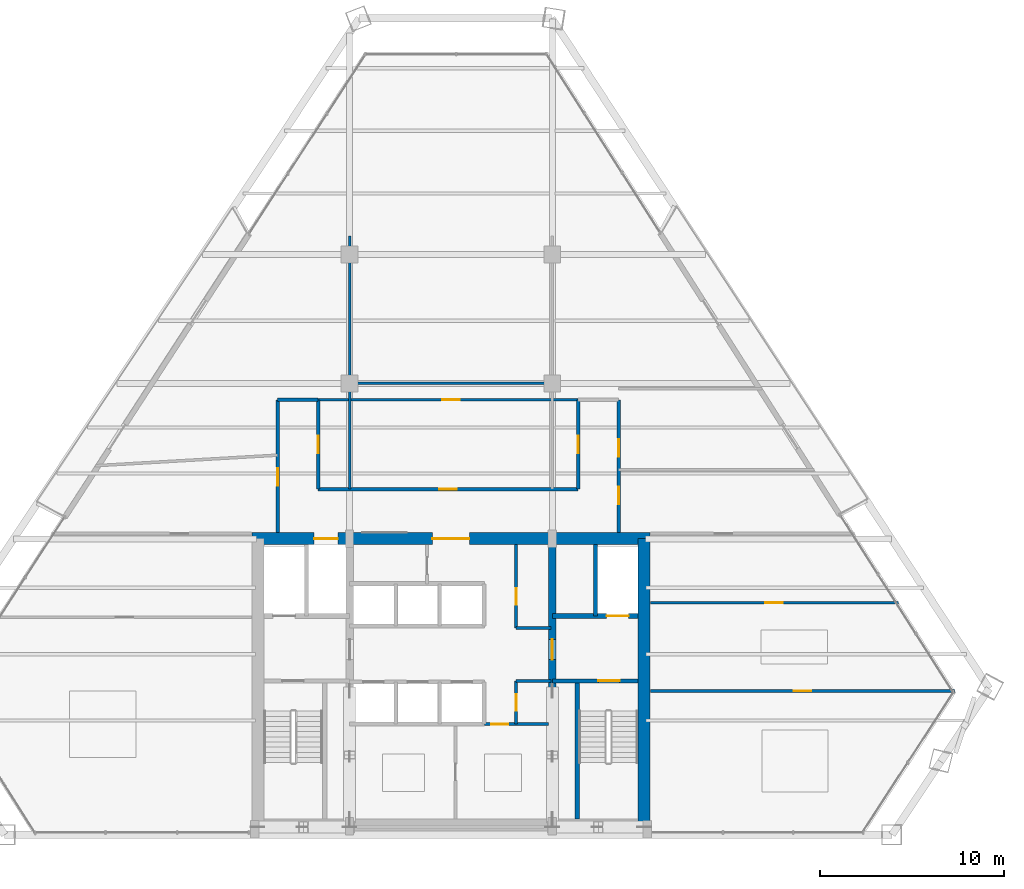
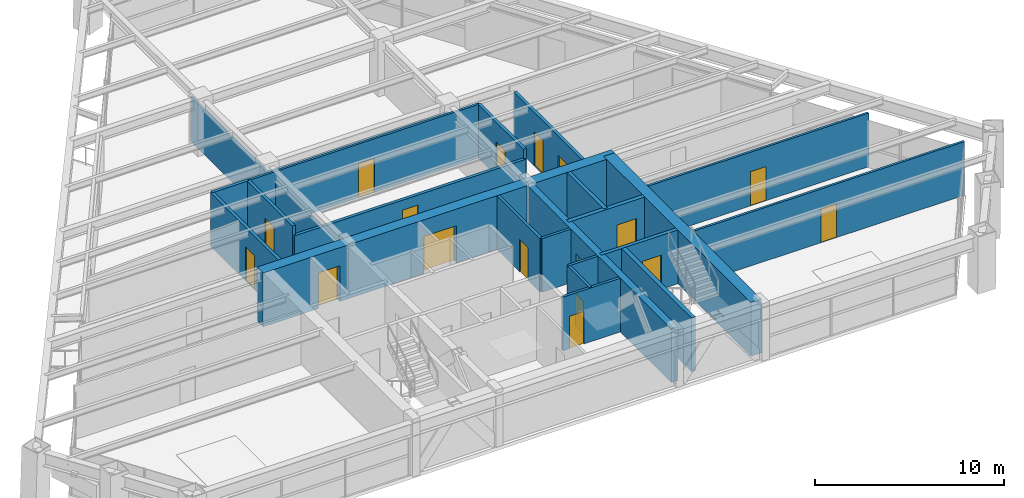
# One storey, part 12 of 15: 23 walls, 17 doors, 17 openings.
"""IFC4 building model written with IfcOpenShell, lengths in metres."""

from ifc_helpers import new_model, si_unit, direction, frame, frame_2d, origin, place, context, subcontext, project, spatial, rectangle, extrude, source, transform, mapped, material, layer, layer_set, type_object, type_shapes, element, fill, save


model = new_model("IFC4")

# Units and contexts
model_context = context("Model", 3, precision=1e-05, world=origin(), true_north=direction((0.0, 1.0)))
body_context = subcontext(model_context, "Body", "Model", "MODEL_VIEW")
ifc_project = project(units=[si_unit("LENGTHUNIT", "METRE"), si_unit("AREAUNIT", "SQUARE_METRE"), si_unit("VOLUMEUNIT", "CUBIC_METRE"), si_unit("PLANEANGLEUNIT", "RADIAN"), si_unit("MASSUNIT", "GRAM", prefix="KILO")], contexts=[model_context])

# Site, building, storey
site_placement = place(None, origin())
site = spatial("IfcSite", under=ifc_project, at=site_placement, CompositionType="ELEMENT")
building_placement = place(site_placement, origin())
building = spatial("IfcBuilding", under=site, at=building_placement, Name="Varnakhor Terracotta Tower", CompositionType="ELEMENT")
storey_placement = place(building_placement, frame((0.0, 0.0, 140.39990234375)))
storey = spatial("IfcBuildingStorey", under=building, at=storey_placement, Name="L35", CompositionType="ELEMENT", Elevation=140.39990234375)

# Wall, openings, doors
ifc_material_1 = material(Name="Concrete C50/60", Category="concrete")
ifc_layer_1 = layer(ifc_material_1, 0.64990234375, Name="Concrete C50/60")
ifc_layer_set_1 = layer_set([ifc_layer_1], Name="Concrete C50/60")
wall_type_1 = type_object("IfcWallType", Name="WAL-CORE-650", PredefinedType="SHEAR", material=ifc_layer_set_1)
wall_1_placement = place(storey_placement, frame((-10.800048828125, 16.074951171875, 0.0), z_axis=(0.0, 0.0, 1.0), x_axis=(1.0, 0.0, 0.0)))
wall_1 = element("IfcWall", 1, at=wall_1_placement, inside=storey, type_object=wall_type_1, Name="L35 North Core Shear Wall", PredefinedType="SHEAR", context=body_context, shape_type="SweptSolid", body=[
    extrude(rectangle(XDim=21.60009765625, YDim=0.64990234375, at=frame_2d((10.800048828125, 0.0))), origin(), (0.0, 0.0, 1.0), 3.47021484375),
])
opening_1_placement = place(wall_1_placement, frame((3.3701171875, 0.0, 0.0)))
opening_1 = element("IfcOpeningElement", 2, at=opening_1_placement, cuts=wall_1, Name="Opening LD-03", PredefinedType="OPENING", context=body_context, shape_type="SweptSolid", body=[
    extrude(rectangle(XDim=1.300048828125, YDim=2.300048828125, at=frame_2d((0.64990234375, 1.14990234375))), frame((0.0, 0.3349609375, 0.0), z_axis=(0.0, -1.0, 0.0), x_axis=(1.0, 0.0, 0.0)), (0.0, 0.0, 1.0), 0.669921875),
])
opening_2_placement = place(wall_1_placement, frame((9.800048828125, 0.0, 0.0)))
opening_2 = element("IfcOpeningElement", 3, at=opening_2_placement, cuts=wall_1, Name="Opening DR-32", PredefinedType="OPENING", context=body_context, shape_type="SweptSolid", body=[
    extrude(rectangle(XDim=2.0, YDim=2.39990234375, at=frame_2d((1.0, 1.199951171875))), frame((0.0, 0.3349609375, 0.0), z_axis=(0.0, -1.0, 0.0), x_axis=(1.0, 0.0, 0.0)), (0.0, 0.0, 1.0), 0.669921875),
])
ifc_material_2 = material(Name="Heavy-Duty Goods Sliding Lift Landing Door", Category="steel")
door_type_1 = type_object("IfcDoorType", Name="LD-SRV-1300X2300", OperationType="NOTDEFINED", PredefinedType="DOOR", material=ifc_material_2)
shared_shape_1 = source(origin(), body_context, "Body", "SweptSolid", [
    extrude(rectangle(XDim=1.300048828125, YDim=2.300048828125, at=frame_2d((0.64990234375, 1.14990234375))), frame((0.0, 0.02490234375, 0.0), z_axis=(0.0, -1.0, 0.0), x_axis=(1.0, 0.0, 0.0)), (0.0, 0.0, 1.0), 0.050048828125),
])
type_shapes(door_type_1, [shared_shape_1])
door_1_placement = place(opening_1_placement, origin())
door_1 = element("IfcDoor", 4, at=door_1_placement, inside=storey, type_object=door_type_1, Name="L35 Service Lift SVL-1 Landing Door", OperationType="SLIDING_TO_RIGHT", OverallHeight=2.300048828125, OverallWidth=1.300048828125, PredefinedType="DOOR", context=body_context, shape_type="MappedRepresentation", body=[
    mapped(shared_shape_1, transform((0.0, 0.0, 0.0), scale=1.0)),
])
fill(opening_1, door_1)
ifc_material_3 = material(Name="Acoustic Double Assembly Fire Door", Category="wood")
door_type_2 = type_object("IfcDoorType", Name="DR-HALL-2000X2400", OperationType="NOTDEFINED", PredefinedType="DOOR", material=ifc_material_3)
shared_shape_2 = source(origin(), body_context, "Body", "SweptSolid", [
    extrude(rectangle(XDim=2.0, YDim=2.39990234375, at=frame_2d((1.0, 1.199951171875))), frame((0.0, 0.02490234375, 0.0), z_axis=(0.0, -1.0, 0.0), x_axis=(1.0, 0.0, 0.0)), (0.0, 0.0, 1.0), 0.050048828125),
])
type_shapes(door_type_2, [shared_shape_2])
door_2_placement = place(opening_2_placement, origin())
door_2 = element("IfcDoor", 5, at=door_2_placement, inside=storey, type_object=door_type_2, Name="L35 Core Main Lobby Double Door", OperationType="DOUBLE_DOOR_SINGLE_SWING", OverallHeight=2.39990234375, OverallWidth=2.0, PredefinedType="DOOR", context=body_context, shape_type="MappedRepresentation", body=[
    mapped(shared_shape_2, transform((0.0, 0.0, 0.0), scale=1.0)),
])
fill(opening_2, door_2)

# Wall
wall_2_placement = place(storey_placement, frame((10.47509765625, 0.52490234375, 0.0), z_axis=(0.0, 0.0, 1.0), x_axis=(0.0, 1.0, 0.0)))
element("IfcWall", 6, at=wall_2_placement, inside=storey, type_object=wall_type_1, Name="L35 East Core Shear Wall", PredefinedType="SHEAR", context=body_context, shape_type="SweptSolid", body=[
    extrude(rectangle(XDim=15.550048828125, YDim=0.64990234375, at=frame_2d((7.77490234375, 0.0))), origin(), (0.0, 0.0, 1.0), 3.47021484375),
])

# Wall, opening, door
ifc_layer_2 = layer(ifc_material_1, 0.39990234375, Name="Concrete C50/60")
ifc_layer_set_2 = layer_set([ifc_layer_2], Name="Concrete C50/60")
wall_type_2 = type_object("IfcWallType", Name="WAL-CORE-WEB-400", PredefinedType="SHEAR", material=ifc_layer_set_2)
wall_3_placement = place(storey_placement, frame((5.5, 0.52490234375, 0.0), z_axis=(0.0, 0.0, 1.0), x_axis=(0.0, 1.0, 0.0)))
wall_3 = element("IfcWall", 7, at=wall_3_placement, inside=storey, type_object=wall_type_2, Name="L35 East Core Web Shear Wall", PredefinedType="SHEAR", context=body_context, shape_type="SweptSolid", body=[
    extrude(rectangle(XDim=15.550048828125, YDim=0.39990234375, at=frame_2d((7.77490234375, 0.0))), origin(), (0.0, 0.0, 1.0), 3.47021484375),
])
opening_3_placement = place(wall_3_placement, frame((8.97509765625, 0.0, 0.0)))
opening_3 = element("IfcOpeningElement", 8, at=opening_3_placement, cuts=wall_3, Name="Opening DR-25", PredefinedType="OPENING", context=body_context, shape_type="SweptSolid", body=[
    extrude(rectangle(XDim=1.10009765625, YDim=2.199951171875, at=frame_2d((0.550048828125, 1.10009765625))), frame((0.0, 0.2099609375, 0.0), z_axis=(0.0, -1.0, 0.0), x_axis=(1.0, 0.0, 0.0)), (0.0, 0.0, 1.0), 0.419921875),
])
ifc_material_4 = material(Name="Firefighting Lobby Self-Closing Fire Door", Category="steel")
door_type_3 = type_object("IfcDoorType", Name="DR-FFL-1100X2200", OperationType="NOTDEFINED", PredefinedType="DOOR", material=ifc_material_4)
shared_shape_3 = source(origin(), body_context, "Body", "SweptSolid", [
    extrude(rectangle(XDim=1.10009765625, YDim=2.199951171875, at=frame_2d((0.550048828125, 1.10009765625))), frame((0.0, 0.02490234375, 0.0), z_axis=(0.0, -1.0, 0.0), x_axis=(1.0, 0.0, 0.0)), (0.0, 0.0, 1.0), 0.050048828125),
])
type_shapes(door_type_3, [shared_shape_3])
door_3_placement = place(opening_3_placement, origin())
door_3 = element("IfcDoor", 9, at=door_3_placement, inside=storey, type_object=door_type_3, Name="L35 East Firefighting Lobby Door", OperationType="SINGLE_SWING_LEFT", OverallHeight=2.199951171875, OverallWidth=1.10009765625, PredefinedType="DOOR", context=body_context, shape_type="MappedRepresentation", body=[
    mapped(shared_shape_3, transform((0.0, 0.0, 0.0), scale=1.0)),
])
fill(opening_3, door_3)

ifc_material_5 = material(Name="Fire-Rated Gypsum Stud Partition", Category="gypsum")
ifc_layer_3 = layer(ifc_material_5, 0.18505859375, Name="Fire-Rated Gypsum Stud Partition")
ifc_layer_set_3 = layer_set([ifc_layer_3], Name="Fire-Rated Gypsum Stud Partition")
wall_type_3 = type_object("IfcWallType", Name="WAL-CORR-185", PredefinedType="PARTITIONING", material=ifc_layer_set_3)
wall_4_placement = place(storey_placement, frame((-7.199951171875, 18.75, 0.0), z_axis=(0.0, 0.0, 1.0), x_axis=(1.0, 0.0, 0.0)))
wall_4 = element("IfcWall", 10, at=wall_4_placement, inside=storey, type_object=wall_type_3, Name="L35 Central Gallery Link Wall", PredefinedType="PARTITIONING", context=body_context, shape_type="SweptSolid", body=[
    extrude(rectangle(XDim=14.099853515625, YDim=0.18505859375, at=frame_2d((7.0498046875, 0.0))), origin(), (0.0, 0.0, 1.0), 2.84619140625),
])
opening_4_placement = place(wall_4_placement, frame((6.574951171875, 0.0, 0.0)))
opening_4 = element("IfcOpeningElement", 11, at=opening_4_placement, cuts=wall_4, Name="Opening DR-94", PredefinedType="OPENING", context=body_context, shape_type="SweptSolid", body=[
    extrude(rectangle(XDim=0.949951171875, YDim=2.199951171875, at=frame_2d((0.47509765625, 1.10009765625))), frame((0.0, 0.1025390625, 0.0), z_axis=(0.0, -1.0, 0.0), x_axis=(1.0, 0.0, 0.0)), (0.0, 0.0, 1.0), 0.205078125),
])
ifc_material_6 = material(Name="Acoustic Glazed-Vision Timber Office Door", Category="wood")
door_type_4 = type_object("IfcDoorType", Name="DR-OFF-950X2200", OperationType="NOTDEFINED", PredefinedType="DOOR", material=ifc_material_6)
shared_shape_4 = source(origin(), body_context, "Body", "SweptSolid", [
    extrude(rectangle(XDim=0.949951171875, YDim=2.199951171875, at=frame_2d((0.47509765625, 1.10009765625))), frame((0.0, 0.02490234375, 0.0), z_axis=(0.0, -1.0, 0.0), x_axis=(1.0, 0.0, 0.0)), (0.0, 0.0, 1.0), 0.050048828125),
])
type_shapes(door_type_4, [shared_shape_4])
door_4_placement = place(opening_4_placement, origin())
door_4 = element("IfcDoor", 12, at=door_4_placement, inside=storey, type_object=door_type_4, Name="L35 Center Suite Door", OperationType="SINGLE_SWING_LEFT", OverallHeight=2.199951171875, OverallWidth=0.949951171875, PredefinedType="DOOR", context=body_context, shape_type="MappedRepresentation", body=[
    mapped(shared_shape_4, transform((0.0, 0.0, 0.0), scale=1.0)),
])
fill(opening_4, door_4)

wall_5_placement = place(storey_placement, frame((-7.199951171875, 18.75, 0.0), z_axis=(0.0, 0.0, 1.0), x_axis=(0.0, 1.0, 0.0)))
wall_5 = element("IfcWall", 13, at=wall_5_placement, inside=storey, type_object=wall_type_3, Name="L35 West Gallery Inner Wall", PredefinedType="PARTITIONING", context=body_context, shape_type="SweptSolid", body=[
    extrude(rectangle(XDim=4.85009765625, YDim=0.18505859375, at=frame_2d((2.425048828125, 0.0))), origin(), (0.0, 0.0, 1.0), 3.462158203125),
])
opening_5_placement = place(wall_5_placement, frame((1.949951171875, 0.0, 0.0)))
opening_5 = element("IfcOpeningElement", 14, at=opening_5_placement, cuts=wall_5, Name="Opening DR-94", PredefinedType="OPENING", context=body_context, shape_type="SweptSolid", body=[
    extrude(rectangle(XDim=0.949951171875, YDim=2.199951171875, at=frame_2d((0.47509765625, 1.10009765625))), frame((0.0, 0.1025390625, 0.0), z_axis=(0.0, -1.0, 0.0), x_axis=(1.0, 0.0, 0.0)), (0.0, 0.0, 1.0), 0.205078125),
])
door_5_placement = place(opening_5_placement, origin())
door_5 = element("IfcDoor", 15, at=door_5_placement, inside=storey, type_object=door_type_4, Name="L35 Counsel Office 7 B9 Door", OperationType="SINGLE_SWING_RIGHT", OverallHeight=2.199951171875, OverallWidth=0.949951171875, PredefinedType="DOOR", context=body_context, shape_type="MappedRepresentation", body=[
    mapped(shared_shape_4, transform((0.0, 0.0, 0.0), scale=1.0)),
])
fill(opening_5, door_5)

wall_6_placement = place(storey_placement, frame((6.89990234375, 18.75, 0.0), z_axis=(0.0, 0.0, 1.0), x_axis=(0.0, 1.0, 0.0)))
wall_6 = element("IfcWall", 16, at=wall_6_placement, inside=storey, type_object=wall_type_3, Name="L35 East Gallery Inner Wall", PredefinedType="PARTITIONING", context=body_context, shape_type="SweptSolid", body=[
    extrude(rectangle(XDim=4.85009765625, YDim=0.18505859375, at=frame_2d((2.425048828125, 0.0))), origin(), (0.0, 0.0, 1.0), 3.462158203125),
])
opening_6_placement = place(wall_6_placement, frame((1.949951171875, 0.0, 0.0)))
opening_6 = element("IfcOpeningElement", 17, at=opening_6_placement, cuts=wall_6, Name="Opening DR-94", PredefinedType="OPENING", context=body_context, shape_type="SweptSolid", body=[
    extrude(rectangle(XDim=0.949951171875, YDim=2.199951171875, at=frame_2d((0.47509765625, 1.10009765625))), frame((0.0, 0.1025390625, 0.0), z_axis=(0.0, -1.0, 0.0), x_axis=(1.0, 0.0, 0.0)), (0.0, 0.0, 1.0), 0.205078125),
])
door_6_placement = place(opening_6_placement, origin())
door_6 = element("IfcDoor", 18, at=door_6_placement, inside=storey, type_object=door_type_4, Name="L35 Executive Training Office 2 B11 Door", OperationType="SINGLE_SWING_LEFT", OverallHeight=2.199951171875, OverallWidth=0.949951171875, PredefinedType="DOOR", context=body_context, shape_type="MappedRepresentation", body=[
    mapped(shared_shape_4, transform((0.0, 0.0, 0.0), scale=1.0)),
])
fill(opening_6, door_6)

wall_7_placement = place(storey_placement, frame((-9.39990234375, 16.39990234375, 0.0), z_axis=(0.0, 0.0, 1.0), x_axis=(0.0, 1.0, 0.0)))
wall_7 = element("IfcWall", 19, at=wall_7_placement, inside=storey, type_object=wall_type_3, Name="L35 West Gallery Outer Wall", PredefinedType="PARTITIONING", context=body_context, shape_type="SweptSolid", body=[
    extrude(rectangle(XDim=7.2001953125, YDim=0.18505859375, at=frame_2d((3.60009765625, 0.0))), origin(), (0.0, 0.0, 1.0), 3.462158203125),
])
opening_7_placement = place(wall_7_placement, frame((2.54638671875, 0.0, 0.0)))
opening_7 = element("IfcOpeningElement", 20, at=opening_7_placement, cuts=wall_7, Name="Opening DR-94", PredefinedType="OPENING", context=body_context, shape_type="SweptSolid", body=[
    extrude(rectangle(XDim=0.949951171875, YDim=2.199951171875, at=frame_2d((0.47509765625, 1.10009765625))), frame((0.0, 0.1025390625, 0.0), z_axis=(0.0, -1.0, 0.0), x_axis=(1.0, 0.0, 0.0)), (0.0, 0.0, 1.0), 0.205078125),
])
door_7_placement = place(opening_7_placement, origin())
door_7 = element("IfcDoor", 21, at=door_7_placement, inside=storey, type_object=door_type_4, Name="L35 West Wing Door", OperationType="SINGLE_SWING_RIGHT", OverallHeight=2.199951171875, OverallWidth=0.949951171875, PredefinedType="DOOR", context=body_context, shape_type="MappedRepresentation", body=[
    mapped(shared_shape_4, transform((0.0, 0.0, 0.0), scale=1.0)),
])
fill(opening_7, door_7)

# Wall, openings, doors
wall_8_placement = place(storey_placement, frame((9.10009765625, 16.39990234375, 0.0), z_axis=(0.0, 0.0, 1.0), x_axis=(0.0, 1.0, 0.0)))
wall_8 = element("IfcWall", 22, at=wall_8_placement, inside=storey, type_object=wall_type_3, Name="L35 East Gallery Outer Wall", PredefinedType="PARTITIONING", context=body_context, shape_type="SweptSolid", body=[
    extrude(rectangle(XDim=7.2001953125, YDim=0.18505859375, at=frame_2d((3.60009765625, 0.0))), origin(), (0.0, 0.0, 1.0), 3.462158203125),
])
opening_8_placement = place(wall_8_placement, frame((4.1025390625, 0.0, 0.0)))
opening_8 = element("IfcOpeningElement", 23, at=opening_8_placement, cuts=wall_8, Name="Opening DR-94", PredefinedType="OPENING", context=body_context, shape_type="SweptSolid", body=[
    extrude(rectangle(XDim=0.949951171875, YDim=2.199951171875, at=frame_2d((0.47509765625, 1.10009765625))), frame((0.0, 0.1025390625, 0.0), z_axis=(0.0, -1.0, 0.0), x_axis=(1.0, 0.0, 0.0)), (0.0, 0.0, 1.0), 0.205078125),
])
opening_9_placement = place(wall_8_placement, frame((1.547607421875, 0.0, 0.0)))
opening_9 = element("IfcOpeningElement", 24, at=opening_9_placement, cuts=wall_8, Name="Opening DR-94", PredefinedType="OPENING", context=body_context, shape_type="SweptSolid", body=[
    extrude(rectangle(XDim=0.949951171875, YDim=2.199951171875, at=frame_2d((0.47509765625, 1.10009765625))), frame((0.0, 0.1025390625, 0.0), z_axis=(0.0, -1.0, 0.0), x_axis=(1.0, 0.0, 0.0)), (0.0, 0.0, 1.0), 0.205078125),
])
door_8_placement = place(opening_8_placement, origin())
door_8 = element("IfcDoor", 25, at=door_8_placement, inside=storey, type_object=door_type_4, Name="L35 East Wing Door", OperationType="SINGLE_SWING_LEFT", OverallHeight=2.199951171875, OverallWidth=0.949951171875, PredefinedType="DOOR", context=body_context, shape_type="MappedRepresentation", body=[
    mapped(shared_shape_4, transform((0.0, 0.0, 0.0), scale=1.0)),
])
fill(opening_8, door_8)
door_9_placement = place(opening_9_placement, origin())
door_9 = element("IfcDoor", 26, at=door_9_placement, inside=storey, type_object=door_type_4, Name="L35 Corporate Advisory Office 3 Door", OperationType="SINGLE_SWING_LEFT", OverallHeight=2.199951171875, OverallWidth=0.949951171875, PredefinedType="DOOR", context=body_context, shape_type="MappedRepresentation", body=[
    mapped(shared_shape_4, transform((0.0, 0.0, 0.0), scale=1.0)),
])
fill(opening_9, door_9)

# Wall
wall_9_placement = place(storey_placement, frame((-9.39990234375, 23.60009765625, 0.0), z_axis=(0.0, 0.0, 1.0), x_axis=(1.0, 0.0, 0.0)))
element("IfcWall", 27, at=wall_9_placement, inside=storey, type_object=wall_type_3, Name="L35 West Gallery North End", PredefinedType="PARTITIONING", context=body_context, shape_type="SweptSolid", body=[
    extrude(rectangle(XDim=2.199951171875, YDim=0.18505859375, at=frame_2d((1.10009765625, 0.0))), origin(), (0.0, 0.0, 1.0), 3.462158203125),
])

# Wall, opening, door
ifc_material_7 = material(Name="Concrete C40/50", Category="concrete")
ifc_layer_4 = layer(ifc_material_7, 0.219970703125, Name="Concrete C40/50")
ifc_layer_set_4 = layer_set([ifc_layer_4], Name="Concrete C40/50")
wall_type_4 = type_object("IfcWallType", Name="WAL-FFLOBBY-220", PredefinedType="SOLIDWALL", material=ifc_layer_set_4)
wall_10_placement = place(storey_placement, frame((10.14990234375, 8.35009765625, 0.0), z_axis=(0.0, 0.0, 1.0), x_axis=(-1.0, 0.0, 0.0)))
wall_10 = element("IfcWall", 28, at=wall_10_placement, inside=storey, type_object=wall_type_4, Name="L35 East Firefighting Lobby Stair Wall", PredefinedType="SOLIDWALL", context=body_context, shape_type="SweptSolid", body=[
    extrude(rectangle(XDim=4.64990234375, YDim=0.219970703125, at=frame_2d((2.324951171875, 0.0))), origin(), (0.0, 0.0, 1.0), 3.47021484375),
])
opening_10_placement = place(wall_10_placement, frame((1.0, 0.0, 0.0)))
opening_10 = element("IfcOpeningElement", 29, at=opening_10_placement, cuts=wall_10, Name="Opening DR-34", PredefinedType="OPENING", context=body_context, shape_type="SweptSolid", body=[
    extrude(rectangle(XDim=1.14990234375, YDim=2.199951171875, at=frame_2d((0.574951171875, 1.10009765625))), frame((0.0, 0.1201171875, 0.0), z_axis=(0.0, -1.0, 0.0), x_axis=(1.0, 0.0, 0.0)), (0.0, 0.0, 1.0), 0.239990234375),
])
ifc_material_8 = material(Name="Self-Closing Smoke-Sealed Steel Fire Door", Category="steel")
door_type_5 = type_object("IfcDoorType", Name="DR-STAIR-1150X2200", OperationType="NOTDEFINED", PredefinedType="DOOR", material=ifc_material_8)
shared_shape_5 = source(origin(), body_context, "Body", "SweptSolid", [
    extrude(rectangle(XDim=1.14990234375, YDim=2.199951171875, at=frame_2d((0.574951171875, 1.10009765625))), frame((0.0, 0.02490234375, 0.0), z_axis=(0.0, -1.0, 0.0), x_axis=(1.0, 0.0, 0.0)), (0.0, 0.0, 1.0), 0.050048828125),
])
type_shapes(door_type_5, [shared_shape_5])
door_10_placement = place(opening_10_placement, origin())
door_10 = element("IfcDoor", 30, at=door_10_placement, inside=storey, type_object=door_type_5, Name="L35 Exit Stair ST-2 Fire Door", OperationType="SINGLE_SWING_RIGHT", OverallHeight=2.199951171875, OverallWidth=1.14990234375, PredefinedType="DOOR", context=body_context, shape_type="MappedRepresentation", body=[
    mapped(shared_shape_5, transform((0.0, 0.0, 0.0), scale=1.0)),
])
fill(opening_10, door_10)

ifc_material_9 = material(Name="Acoustic Metal-Stud Partition", Category="gypsum")
ifc_layer_5 = layer(ifc_material_9, 0.139892578125, Name="Acoustic Metal-Stud Partition")
ifc_layer_set_5 = layer_set([ifc_layer_5], Name="Acoustic Metal-Stud Partition")
wall_type_5 = type_object("IfcWallType", Name="WAL-PART-140", PredefinedType="PARTITIONING", material=ifc_layer_set_5)
wall_11_placement = place(storey_placement, frame((-7.199951171875, 23.60009765625, 0.0), z_axis=(0.0, 0.0, 1.0), x_axis=(1.0, 0.0, 0.0)))
wall_11 = element("IfcWall", 31, at=wall_11_placement, inside=storey, type_object=wall_type_5, Name="L35 Gallery Center Cap Wall", PredefinedType="PARTITIONING", context=body_context, shape_type="SweptSolid", body=[
    extrude(rectangle(XDim=14.099853515625, YDim=0.139892578125, at=frame_2d((7.0498046875, 0.0))), origin(), (0.0, 0.0, 1.0), 3.462158203125),
])
opening_11_placement = place(wall_11_placement, frame((6.7177734375, 0.0, 0.0)))
opening_11 = element("IfcOpeningElement", 32, at=opening_11_placement, cuts=wall_11, Name="Opening DR-94", PredefinedType="OPENING", context=body_context, shape_type="SweptSolid", body=[
    extrude(rectangle(XDim=0.949951171875, YDim=2.199951171875, at=frame_2d((0.47509765625, 1.10009765625))), frame((0.0, 0.080078125, 0.0), z_axis=(0.0, -1.0, 0.0), x_axis=(1.0, 0.0, 0.0)), (0.0, 0.0, 1.0), 0.159912109375),
])
door_11_placement = place(opening_11_placement, origin())
door_11 = element("IfcDoor", 33, at=door_11_placement, inside=storey, type_object=door_type_4, Name="L35 Client Reception Door", OperationType="SINGLE_SWING_RIGHT", OverallHeight=2.199951171875, OverallWidth=0.949951171875, PredefinedType="DOOR", context=body_context, shape_type="MappedRepresentation", body=[
    mapped(shared_shape_4, transform((0.0, 0.0, 0.0), scale=1.0)),
])
fill(opening_11, door_11)

# Walls
wall_12_placement = place(storey_placement, frame((-5.5, 18.75, 0.0), z_axis=(0.0, 0.0, 1.0), x_axis=(0.0, 1.0, 0.0)))
element("IfcWall", 34, at=wall_12_placement, inside=storey, type_object=wall_type_5, Name="L35 Center West Column Wall", PredefinedType="PARTITIONING", context=body_context, shape_type="SweptSolid", body=[
    extrude(rectangle(XDim=13.75, YDim=0.139892578125, at=frame_2d((6.875, 0.0))), origin(), (0.0, 0.0, 1.0), 2.84619140625),
])
wall_13_placement = place(storey_placement, frame((-5.5, 24.5, 0.0), z_axis=(0.0, 0.0, 1.0), x_axis=(1.0, 0.0, 0.0)))
element("IfcWall", 35, at=wall_13_placement, inside=storey, type_object=wall_type_5, Name="L35 Center Cross Cut 1", PredefinedType="PARTITIONING", context=body_context, shape_type="SweptSolid", body=[
    extrude(rectangle(XDim=11.0, YDim=0.139892578125, at=frame_2d((5.5, 0.0))), origin(), (0.0, 0.0, 1.0), 2.84619140625),
])

# Wall, opening, door
wall_14_placement = place(storey_placement, frame((10.820068359375, 7.800048828125, 0.0), z_axis=(0.0, 0.0, 1.0), x_axis=(1.0, 0.0, 0.0)))
wall_14 = element("IfcWall", 36, at=wall_14_placement, inside=storey, type_object=wall_type_5, Name="L35 East Wing Cut 1", PredefinedType="PARTITIONING", context=body_context, shape_type="SweptSolid", body=[
    extrude(rectangle(XDim=16.52294921875, YDim=0.139892578125, at=frame_2d((8.261474609375, 0.0))), origin(), (0.0, 0.0, 1.0), 3.462158203125),
])
opening_12_placement = place(wall_14_placement, frame((7.7783203125, 0.0, 0.0)))
opening_12 = element("IfcOpeningElement", 37, at=opening_12_placement, cuts=wall_14, Name="Opening DR-94", PredefinedType="OPENING", context=body_context, shape_type="SweptSolid", body=[
    extrude(rectangle(XDim=0.949951171875, YDim=2.199951171875, at=frame_2d((0.47509765625, 1.10009765625))), frame((0.0, 0.080078125, 0.0), z_axis=(0.0, -1.0, 0.0), x_axis=(1.0, 0.0, 0.0)), (0.0, 0.0, 1.0), 0.159912109375),
])
door_12_placement = place(opening_12_placement, origin())
door_12 = element("IfcDoor", 38, at=door_12_placement, inside=storey, type_object=door_type_4, Name="L35 Conference Room 1 SE Door", OperationType="SINGLE_SWING_RIGHT", OverallHeight=2.199951171875, OverallWidth=0.949951171875, PredefinedType="DOOR", context=body_context, shape_type="MappedRepresentation", body=[
    mapped(shared_shape_4, transform((0.0, 0.0, 0.0), scale=1.0)),
])
fill(opening_12, door_12)

wall_15_placement = place(storey_placement, frame((10.820068359375, 12.60009765625, 0.0), z_axis=(0.0, 0.0, 1.0), x_axis=(1.0, 0.0, 0.0)))
wall_15 = element("IfcWall", 39, at=wall_15_placement, inside=storey, type_object=wall_type_5, Name="L35 East Wing Cut 2", PredefinedType="PARTITIONING", context=body_context, shape_type="SweptSolid", body=[
    extrude(rectangle(XDim=13.464111328125, YDim=0.139892578125, at=frame_2d((6.73193359375, 0.0))), origin(), (0.0, 0.0, 1.0), 3.462158203125),
])
opening_13_placement = place(wall_15_placement, frame((6.2490234375, 0.0, 0.0)))
opening_13 = element("IfcOpeningElement", 40, at=opening_13_placement, cuts=wall_15, Name="Opening DR-94", PredefinedType="OPENING", context=body_context, shape_type="SweptSolid", body=[
    extrude(rectangle(XDim=0.949951171875, YDim=2.199951171875, at=frame_2d((0.47509765625, 1.10009765625))), frame((0.0, 0.080078125, 0.0), z_axis=(0.0, -1.0, 0.0), x_axis=(1.0, 0.0, 0.0)), (0.0, 0.0, 1.0), 0.159912109375),
])
door_13_placement = place(opening_13_placement, origin())
door_13 = element("IfcDoor", 41, at=door_13_placement, inside=storey, type_object=door_type_4, Name="L35 Boardroom 4 B3 Door", OperationType="SINGLE_SWING_LEFT", OverallHeight=2.199951171875, OverallWidth=0.949951171875, PredefinedType="DOOR", context=body_context, shape_type="MappedRepresentation", body=[
    mapped(shared_shape_4, transform((0.0, 0.0, 0.0), scale=1.0)),
])
fill(opening_13, door_13)

# Walls
ifc_layer_6 = layer(ifc_material_7, 0.219970703125, Name="Concrete C40/50")
ifc_layer_set_6 = layer_set([ifc_layer_6], Name="Concrete C40/50")
wall_type_6 = type_object("IfcWallType", Name="WAL-SHAFT-220", PredefinedType="SOLIDWALL", material=ifc_layer_set_6)
wall_16_placement = place(storey_placement, frame((7.840087890625, 11.8701171875, 0.0), z_axis=(0.0, 0.0, 1.0), x_axis=(0.0, 1.0, 0.0)))
element("IfcWall", 42, at=wall_16_placement, inside=storey, type_object=wall_type_6, Name="L35 Lift FFL-2 and Riser Divider Wall", PredefinedType="SOLIDWALL", context=body_context, shape_type="SweptSolid", body=[
    extrude(rectangle(XDim=3.8798828125, YDim=0.219970703125, at=frame_2d((1.93994140625, 0.0))), origin(), (0.0, 0.0, 1.0), 3.47021484375),
])
ifc_layer_7 = layer(ifc_material_7, 0.25, Name="Concrete C40/50")
ifc_layer_set_7 = layer_set([ifc_layer_7], Name="Concrete C40/50")
wall_type_7 = type_object("IfcWallType", Name="WAL-SHAFT-250", PredefinedType="SOLIDWALL", material=ifc_layer_set_7)
wall_17_placement = place(storey_placement, frame((6.85009765625, 0.85009765625, 0.0), z_axis=(0.0, 0.0, 1.0), x_axis=(0.0, 1.0, 0.0)))
element("IfcWall", 43, at=wall_17_placement, inside=storey, type_object=wall_type_7, Name="L35 Stair ST-2 Bearing Shaft Wall", PredefinedType="SOLIDWALL", context=body_context, shape_type="SweptSolid", body=[
    extrude(rectangle(XDim=7.5, YDim=0.25, at=frame_2d((3.75, 0.0))), origin(), (0.0, 0.0, 1.0), 3.47021484375),
])

# Wall, opening, door
wall_18_placement = place(storey_placement, frame((10.14990234375, 11.8701171875, 0.0), z_axis=(0.0, 0.0, 1.0), x_axis=(-1.0, 0.0, 0.0)))
wall_18 = element("IfcWall", 44, at=wall_18_placement, inside=storey, type_object=wall_type_7, Name="L35 Lift FFL-2 Shaft Front Wall", PredefinedType="SOLIDWALL", context=body_context, shape_type="SweptSolid", body=[
    extrude(rectangle(XDim=4.64990234375, YDim=0.25, at=frame_2d((2.324951171875, 0.0))), origin(), (0.0, 0.0, 1.0), 3.47021484375),
])
opening_14_placement = place(wall_18_placement, frame((0.5, 0.0, 0.0)))
opening_14 = element("IfcOpeningElement", 45, at=opening_14_placement, cuts=wall_18, Name="Opening LD-02", PredefinedType="OPENING", context=body_context, shape_type="SweptSolid", body=[
    extrude(rectangle(XDim=1.199951171875, YDim=2.25, at=frame_2d((0.60009765625, 1.125))), frame((0.0, 0.135009765625, 0.0), z_axis=(0.0, -1.0, 0.0), x_axis=(1.0, 0.0, 0.0)), (0.0, 0.0, 1.0), 0.27001953125),
])
ifc_material_10 = material(Name="Firefighting Stretcher Sliding Lift Landing Door", Category="steel")
door_type_6 = type_object("IfcDoorType", Name="LD-FFL-1200X2250", OperationType="NOTDEFINED", PredefinedType="DOOR", material=ifc_material_10)
shared_shape_6 = source(origin(), body_context, "Body", "SweptSolid", [
    extrude(rectangle(XDim=1.199951171875, YDim=2.25, at=frame_2d((0.60009765625, 1.125))), frame((0.0, 0.02490234375, 0.0), z_axis=(0.0, -1.0, 0.0), x_axis=(1.0, 0.0, 0.0)), (0.0, 0.0, 1.0), 0.050048828125),
])
type_shapes(door_type_6, [shared_shape_6])
door_14_placement = place(opening_14_placement, origin())
door_14 = element("IfcDoor", 46, at=door_14_placement, inside=storey, type_object=door_type_6, Name="L35 Firefighting Lift FFL-2 Landing Door", OperationType="SLIDING_TO_RIGHT", OverallHeight=2.25, OverallWidth=1.199951171875, PredefinedType="DOOR", context=body_context, shape_type="MappedRepresentation", body=[
    mapped(shared_shape_6, transform((0.0, 0.0, 0.0), scale=1.0)),
])
fill(opening_14, door_14)

ifc_material_11 = material(Name="Acoustic Fire-Rated Partition", Category="gypsum")
ifc_layer_8 = layer(ifc_material_11, 0.1650390625, Name="Acoustic Fire-Rated Partition")
ifc_layer_set_8 = layer_set([ifc_layer_8], Name="Acoustic Fire-Rated Partition")
wall_type_8 = type_object("IfcWallType", Name="WAL-TENANCY-165", PredefinedType="PARTITIONING", material=ifc_layer_set_8)
wall_19_placement = place(storey_placement, frame((1.820068359375, 6.0, 0.0), z_axis=(0.0, 0.0, 1.0), x_axis=(1.0, 0.0, 0.0)))
wall_19 = element("IfcWall", 47, at=wall_19_placement, inside=storey, type_object=wall_type_8, Name="L35 Reclaimed Core Bay North Rated Wall", PredefinedType="PARTITIONING", context=body_context, shape_type="SweptSolid", body=[
    extrude(rectangle(XDim=3.47998046875, YDim=0.1650390625, at=frame_2d((1.739990234375, 0.0))), origin(), (0.0, 0.0, 1.0), 3.462158203125),
])
opening_15_placement = place(wall_19_placement, frame((0.3798828125, 0.0, 0.0)))
opening_15 = element("IfcOpeningElement", 48, at=opening_15_placement, cuts=wall_19, Name="Opening DR-67", PredefinedType="OPENING", context=body_context, shape_type="SweptSolid", body=[
    extrude(rectangle(XDim=0.89990234375, YDim=2.10009765625, at=frame_2d((0.449951171875, 1.050048828125))), frame((0.0, 0.092529296875, 0.0), z_axis=(0.0, -1.0, 0.0), x_axis=(1.0, 0.0, 0.0)), (0.0, 0.0, 1.0), 0.18505859375),
])
ifc_material_12 = material(Name="Steel Service Riser Fire Door", Category="steel")
door_type_7 = type_object("IfcDoorType", Name="DR-RISER-900X2100", OperationType="NOTDEFINED", PredefinedType="DOOR", material=ifc_material_12)
shared_shape_7 = source(origin(), body_context, "Body", "SweptSolid", [
    extrude(rectangle(XDim=0.89990234375, YDim=2.10009765625, at=frame_2d((0.449951171875, 1.050048828125))), frame((0.0, 0.02490234375, 0.0), z_axis=(0.0, -1.0, 0.0), x_axis=(1.0, 0.0, 0.0)), (0.0, 0.0, 1.0), 0.050048828125),
])
type_shapes(door_type_7, [shared_shape_7])
door_15_placement = place(opening_15_placement, origin())
door_15 = element("IfcDoor", 49, at=door_15_placement, inside=storey, type_object=door_type_7, Name="L35 Core Reclaimed Suite Door", OperationType="SINGLE_SWING_RIGHT", OverallHeight=2.10009765625, OverallWidth=0.89990234375, PredefinedType="DOOR", context=body_context, shape_type="MappedRepresentation", body=[
    mapped(shared_shape_7, transform((0.0, 0.0, 0.0), scale=1.0)),
])
fill(opening_15, door_15)

wall_20_placement = place(storey_placement, frame((3.5400390625, 6.0, 0.0), z_axis=(0.0, 0.0, 1.0), x_axis=(0.0, 1.0, 0.0)))
wall_20 = element("IfcWall", 50, at=wall_20_placement, inside=storey, type_object=wall_type_8, Name="L35 Accessible WC Rated Wall", PredefinedType="PARTITIONING", context=body_context, shape_type="SweptSolid", body=[
    extrude(rectangle(XDim=2.340087890625, YDim=0.1650390625, at=frame_2d((1.169921875, 0.0))), origin(), (0.0, 0.0, 1.0), 3.462158203125),
])
opening_16_placement = place(wall_20_placement, frame((0.719970703125, 0.0, 0.0)))
opening_16 = element("IfcOpeningElement", 51, at=opening_16_placement, cuts=wall_20, Name="Opening DR-67", PredefinedType="OPENING", context=body_context, shape_type="SweptSolid", body=[
    extrude(rectangle(XDim=0.89990234375, YDim=2.10009765625, at=frame_2d((0.449951171875, 1.050048828125))), frame((0.0, 0.092529296875, 0.0), z_axis=(0.0, -1.0, 0.0), x_axis=(1.0, 0.0, 0.0)), (0.0, 0.0, 1.0), 0.18505859375),
])
door_16_placement = place(opening_16_placement, origin())
door_16 = element("IfcDoor", 52, at=door_16_placement, inside=storey, type_object=door_type_7, Name="L35 Accessible WC Door", OperationType="SINGLE_SWING_RIGHT", OverallHeight=2.10009765625, OverallWidth=0.89990234375, PredefinedType="DOOR", context=body_context, shape_type="MappedRepresentation", body=[
    mapped(shared_shape_7, transform((0.0, 0.0, 0.0), scale=1.0)),
])
fill(opening_16, door_16)

# Wall
wall_21_placement = place(storey_placement, frame((3.5400390625, 8.340087890625, 0.0), z_axis=(0.0, 0.0, 1.0), x_axis=(1.0, 0.0, 0.0)))
element("IfcWall", 53, at=wall_21_placement, inside=storey, type_object=wall_type_8, Name="L35 Accessible WC North Wall", PredefinedType="PARTITIONING", context=body_context, shape_type="SweptSolid", body=[
    extrude(rectangle(XDim=1.8798828125, YDim=0.1650390625, at=frame_2d((0.93994140625, 0.0))), origin(), (0.0, 0.0, 1.0), 3.462158203125),
])

# Wall, opening, door
wall_22_placement = place(storey_placement, frame((3.5400390625, 11.219970703125, 0.0), z_axis=(0.0, 0.0, 1.0), x_axis=(0.0, 1.0, 0.0)))
wall_22 = element("IfcWall", 54, at=wall_22_placement, inside=storey, type_object=wall_type_8, Name="L35 Restroom Corridor Wall", PredefinedType="PARTITIONING", context=body_context, shape_type="SweptSolid", body=[
    extrude(rectangle(XDim=4.530029296875, YDim=0.1650390625, at=frame_2d((2.26513671875, 0.0))), origin(), (0.0, 0.0, 1.0), 3.462158203125),
])
opening_17_placement = place(wall_22_placement, frame((1.25, 0.0, 0.0)))
opening_17 = element("IfcOpeningElement", 55, at=opening_17_placement, cuts=wall_22, Name="Opening DR-67", PredefinedType="OPENING", context=body_context, shape_type="SweptSolid", body=[
    extrude(rectangle(XDim=0.89990234375, YDim=2.10009765625, at=frame_2d((0.449951171875, 1.050048828125))), frame((0.0, 0.092529296875, 0.0), z_axis=(0.0, -1.0, 0.0), x_axis=(1.0, 0.0, 0.0)), (0.0, 0.0, 1.0), 0.18505859375),
])
door_17_placement = place(opening_17_placement, origin())
door_17 = element("IfcDoor", 56, at=door_17_placement, inside=storey, type_object=door_type_7, Name="L35 Female WC Door", OperationType="SINGLE_SWING_RIGHT", OverallHeight=2.10009765625, OverallWidth=0.89990234375, PredefinedType="DOOR", context=body_context, shape_type="MappedRepresentation", body=[
    mapped(shared_shape_7, transform((0.0, 0.0, 0.0), scale=1.0)),
])
fill(opening_17, door_17)

# Wall
wall_23_placement = place(storey_placement, frame((3.5400390625, 11.219970703125, 0.0), z_axis=(0.0, 0.0, 1.0), x_axis=(1.0, 0.0, 0.0)))
element("IfcWall", 57, at=wall_23_placement, inside=storey, type_object=wall_type_8, Name="L35 Restroom South Wall", PredefinedType="PARTITIONING", context=body_context, shape_type="SweptSolid", body=[
    extrude(rectangle(XDim=1.8798828125, YDim=0.1650390625, at=frame_2d((0.93994140625, 0.0))), origin(), (0.0, 0.0, 1.0), 3.462158203125),
])

save(model, "model.ifc")
